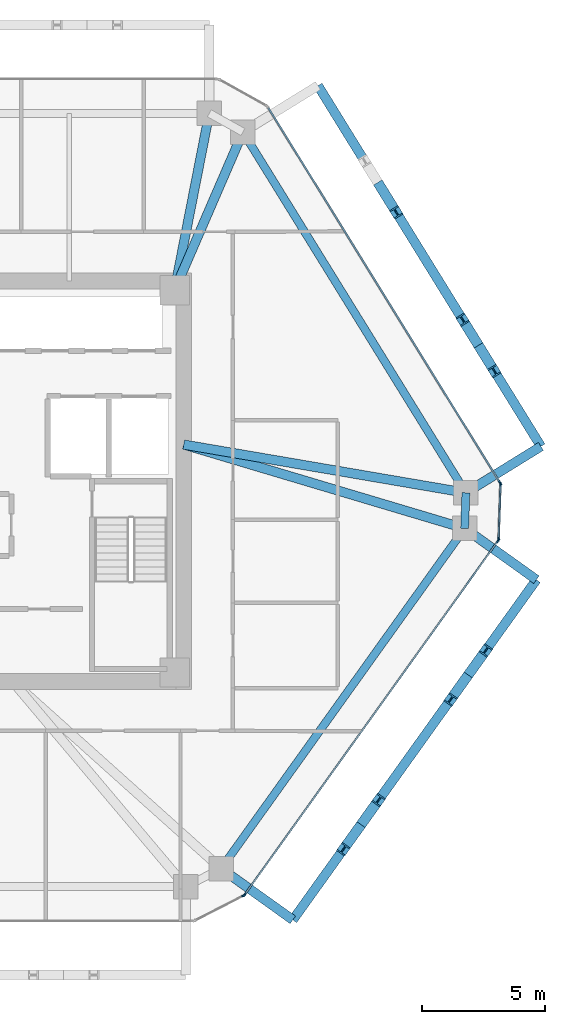
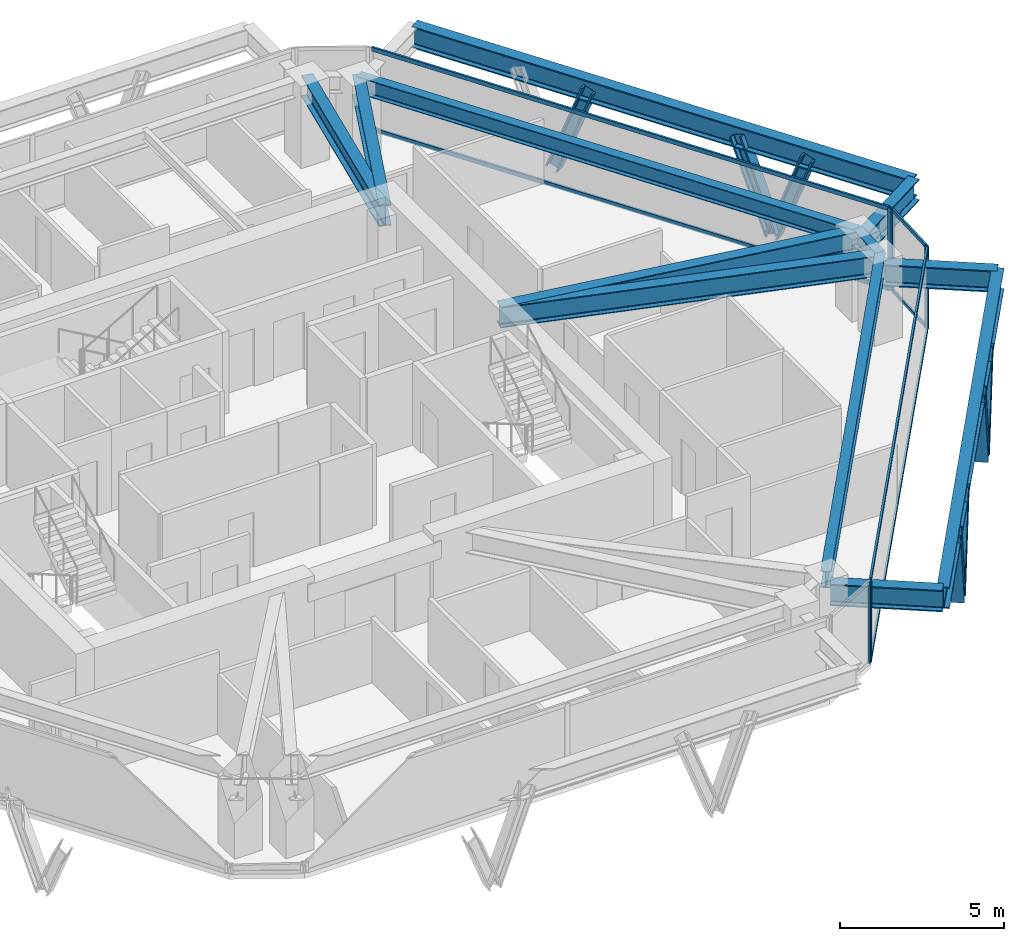
# One storey, part 5 of 11: 19 members, 12 beams, 4 elements without a shape of their own.
"""IFC4 building model written with IfcOpenShell, lengths in metres."""

from ifc_helpers import new_model, si_unit, direction, frame, origin, origin_2d, place, context, subcontext, project, spatial, rectangle, i_section, extrude, source, transform, mapped, material, layer, layer_set, material_profile, profile_set, type_object, type_shapes, element, aggregate, save


model = new_model("IFC4")

# Units and contexts
model_context = context("Model", 3, precision=1e-05, world=origin(), true_north=direction((0.0, 1.0)))
body_context = subcontext(model_context, "Body", "Model", "MODEL_VIEW")
ifc_project = project(units=[si_unit("LENGTHUNIT", "METRE"), si_unit("AREAUNIT", "SQUARE_METRE"), si_unit("VOLUMEUNIT", "CUBIC_METRE"), si_unit("PLANEANGLEUNIT", "RADIAN"), si_unit("MASSUNIT", "GRAM", prefix="KILO")], contexts=[model_context])

# Site, building, storey
site_placement = place(None, origin())
site = spatial("IfcSite", under=ifc_project, at=site_placement, CompositionType="ELEMENT")
building_placement = place(site_placement, origin())
building = spatial("IfcBuilding", under=site, at=building_placement, Name="Durnholm Broadcast Tower", CompositionType="ELEMENT")
storey_placement = place(building_placement, frame((0.0, 0.0, 177.10009765625)))
storey = spatial("IfcBuildingStorey", under=building, at=storey_placement, Name="L48", CompositionType="ELEMENT", Elevation=177.10009765625)

# Beams
ifc_material_1 = material(Name="Steel ASTM A992 Grade 50", Category="steel")
ifc_material_profile_1 = material_profile(ifc_material_1, i_section(OverallWidth=0.385009765625, OverallDepth=0.802978515625, WebThickness=0.023681640625, FlangeThickness=0.0419921875, FilletRadius=0.032958984375, at=origin_2d()), Name="W30X261")
ifc_profile_set_1 = profile_set([ifc_material_profile_1], Name="Steel ASTM A992 Grade 50")
beam_type_1 = type_object("IfcBeamType", Name="BM-EXO-TIE", PredefinedType="USERDEFINED", material=ifc_profile_set_1)
shared_shape_1 = source(origin(), body_context, "Body", "SweptSolid", [
    extrude(i_section(OverallWidth=0.385009765625, OverallDepth=0.802978515625, WebThickness=0.023681640625, FlangeThickness=0.0419921875, FilletRadius=0.032958984375, at=origin_2d()), origin(), (0.0, 0.0, 1.0), 3.4560546875),
])
for number, where, z_axis, x_axis, name in (
    (1, (11.81689453125, -15.884033203125, 2.308349609375), (0.813079048773, -0.582153296346, 0.0), (0.582153296346, 0.813079048773, 0.0), "L48 exoskeleton stand-off tie bracket F2.1"),
    (2, (21.7548828125, -2.00341796875, 2.308349609375), (0.813079048773, -0.582153296346, 0.0), (0.582153296346, 0.813079048773, 0.0), "L48 exoskeleton stand-off tie bracket F2.2"),
    (3, (21.8095703125, -0.3916015625, 2.308349609375), (0.850662348375, 0.525712439512, 0.0), (-0.525712439512, 0.850662348375, 0.0), "L48 exoskeleton stand-off tie bracket F3.1"),
):
    element("IfcBeam", number, at=place(storey_placement, frame(where, z_axis=z_axis, x_axis=x_axis)), inside=storey, type_object=beam_type_1, Name=name, ObjectType="GIRDER", PredefinedType="USERDEFINED", context=body_context, shape_type="MappedRepresentation", body=[
        mapped(shared_shape_1, transform((0.0, 0.0, 0.0), x_axis=(1.0, 0.0, 0.0), y_axis=(0.0, 1.0, 0.0), z_axis=(0.0, 0.0, 1.0), scale=1.0)),
    ])
ifc_material_profile_2 = material_profile(ifc_material_1, i_section(OverallWidth=0.3251953125, OverallDepth=0.6162109375, WebThickness=0.013916015625, FlangeThickness=0.021484375, FilletRadius=0.02783203125, at=origin_2d()), Name="W24X117")
ifc_profile_set_2 = profile_set([ifc_material_profile_2], Name="Steel ASTM A992 Grade 50")
beam_type_2 = type_object("IfcBeamType", Name="STL-SP-W24X117", PredefinedType="SPANDREL", material=ifc_profile_set_2)
shared_shape_2 = source(origin(), body_context, "Body", "SweptSolid", [
    extrude(i_section(OverallWidth=0.3251953125, OverallDepth=0.6162109375, WebThickness=0.013916015625, FlangeThickness=0.021484375, FilletRadius=0.02783203125, at=origin_2d()), origin(), (0.0, 0.0, 1.0), 17.30322265625),
])
beam_1_placement = place(storey_placement, frame((12.5908203125, 14.252197265625, 2.73681640625), z_axis=(0.525691424148, -0.850675335588, 0.0), x_axis=(0.850675335588, 0.525691424148, 0.0)))
element("IfcBeam", 4, at=beam_1_placement, inside=storey, type_object=beam_type_2, Name="L48 perimeter spandrel girder 07", PredefinedType="SPANDREL", context=body_context, shape_type="MappedRepresentation", body=[
    mapped(shared_shape_2, transform((0.0, 0.0, 0.0), x_axis=(1.0, 0.0, 0.0), y_axis=(0.0, 1.0, 0.0), z_axis=(0.0, 0.0, 1.0), scale=1.0)),
])
shared_shape_3 = source(origin(), body_context, "Body", "SweptSolid", [
    extrude(i_section(OverallWidth=0.3251953125, OverallDepth=0.6162109375, WebThickness=0.013916015625, FlangeThickness=0.021484375, FilletRadius=0.02783203125, at=origin_2d()), origin(), (0.0, 0.0, 1.0), 1.453125),
])
beam_2_placement = place(storey_placement, frame((21.68701171875, -0.46728515625, 2.73681640625), z_axis=(-0.033767922326, -0.99942970109, 0.0), x_axis=(0.99942970109, -0.033767922326, 0.0)))
element("IfcBeam", 5, at=beam_2_placement, inside=storey, type_object=beam_type_2, Name="L48 perimeter spandrel girder 08", PredefinedType="SPANDREL", context=body_context, shape_type="MappedRepresentation", body=[
    mapped(shared_shape_3, transform((0.0, 0.0, 0.0), x_axis=(1.0, 0.0, 0.0), y_axis=(0.0, 1.0, 0.0), z_axis=(0.0, 0.0, 1.0), scale=1.0)),
])
shared_shape_4 = source(origin(), body_context, "Body", "SweptSolid", [
    extrude(i_section(OverallWidth=0.3251953125, OverallDepth=0.6162109375, WebThickness=0.013916015625, FlangeThickness=0.021484375, FilletRadius=0.02783203125, at=origin_2d()), origin(), (0.0, 0.0, 1.0), 17.071533203125),
])
type_shapes(beam_type_2, [shared_shape_2, shared_shape_3, shared_shape_4])
beam_3_placement = place(storey_placement, frame((21.637939453125, -1.919677734375, 2.73681640625), z_axis=(-0.582149612352, -0.813081686449, 0.0), x_axis=(0.813081686449, -0.582149612352, 0.0)))
element("IfcBeam", 6, at=beam_3_placement, inside=storey, type_object=beam_type_2, Name="L48 perimeter spandrel girder 09", PredefinedType="SPANDREL", context=body_context, shape_type="MappedRepresentation", body=[
    mapped(shared_shape_4, transform((0.0, 0.0, 0.0), x_axis=(1.0, 0.0, 0.0), y_axis=(0.0, 1.0, 0.0), z_axis=(0.0, 0.0, 1.0), scale=1.0)),
])
ifc_material_profile_3 = material_profile(ifc_material_1, i_section(OverallWidth=0.380615234375, OverallDepth=0.773193359375, WebThickness=0.0166015625, FlangeThickness=0.027099609375, FilletRadius=0.032958984375, at=origin_2d()), Name="W30X173")
ifc_profile_set_3 = profile_set([ifc_material_profile_3], Name="Steel ASTM A992 Grade 50")
beam_type_3 = type_object("IfcBeamType", Name="STL-GR-W30X173", PredefinedType="USERDEFINED", material=ifc_profile_set_3)
shared_shape_5 = source(origin(), body_context, "Body", "SweptSolid", [
    extrude(i_section(OverallWidth=0.380615234375, OverallDepth=0.773193359375, WebThickness=0.0166015625, FlangeThickness=0.027099609375, FilletRadius=0.032958984375, at=origin_2d()), origin(), (0.0, 0.0, 1.0), 7.35595703125),
])
beam_4_placement = place(storey_placement, frame((9.800048828125, 7.800048828125, 2.658203125), z_axis=(0.192700221893, 0.981257674865, 0.0), x_axis=(-0.981257674865, 0.192700221893, 0.0)))
element("IfcBeam", 7, at=beam_4_placement, inside=storey, type_object=beam_type_3, Name="L48 radial primary floor girder 06", ObjectType="GIRDER", PredefinedType="USERDEFINED", context=body_context, shape_type="MappedRepresentation", body=[
    mapped(shared_shape_5, transform((0.0, 0.0, 0.0), x_axis=(1.0, 0.0, 0.0), y_axis=(0.0, 1.0, 0.0), z_axis=(0.0, 0.0, 1.0), scale=1.0)),
])
shared_shape_6 = source(origin(), body_context, "Body", "SweptSolid", [
    extrude(i_section(OverallWidth=0.380615234375, OverallDepth=0.773193359375, WebThickness=0.0166015625, FlangeThickness=0.027099609375, FilletRadius=0.032958984375, at=origin_2d()), origin(), (0.0, 0.0, 1.0), 7.02978515625),
])
beam_5_placement = place(storey_placement, frame((9.800048828125, 7.800048828125, 2.658203125), z_axis=(0.396989434191, 0.91782317967, 0.0), x_axis=(-0.91782317967, 0.396989434191, 0.0)))
element("IfcBeam", 8, at=beam_5_placement, inside=storey, type_object=beam_type_3, Name="L48 radial primary floor girder 07", ObjectType="GIRDER", PredefinedType="USERDEFINED", context=body_context, shape_type="MappedRepresentation", body=[
    mapped(shared_shape_6, transform((0.0, 0.0, 0.0), x_axis=(1.0, 0.0, 0.0), y_axis=(0.0, 1.0, 0.0), z_axis=(0.0, 0.0, 1.0), scale=1.0)),
])
shared_shape_7 = source(origin(), body_context, "Body", "SweptSolid", [
    extrude(i_section(OverallWidth=0.385009765625, OverallDepth=0.802978515625, WebThickness=0.023681640625, FlangeThickness=0.0419921875, FilletRadius=0.032958984375, at=origin_2d()), origin(), (0.0, 0.0, 1.0), 17.071533203125),
])
beam_6_placement = place(storey_placement, frame((14.626953125, -17.89599609375, 2.308349609375), z_axis=(0.582140157836, 0.813088455603, 0.0), x_axis=(-0.813088455603, 0.582140157836, 0.0)))
element("IfcBeam", 9, at=beam_6_placement, inside=storey, type_object=beam_type_1, Name="L48 exoskeleton collector spandrel F2", PredefinedType="SPANDREL", context=body_context, shape_type="MappedRepresentation", body=[
    mapped(shared_shape_7, transform((0.0, 0.0, 0.0), x_axis=(1.0, 0.0, 0.0), y_axis=(0.0, 1.0, 0.0), z_axis=(0.0, 0.0, 1.0), scale=1.0)),
])
shared_shape_8 = source(origin(), body_context, "Body", "SweptSolid", [
    extrude(i_section(OverallWidth=0.385009765625, OverallDepth=0.802978515625, WebThickness=0.023681640625, FlangeThickness=0.0419921875, FilletRadius=0.032958984375, at=origin_2d()), origin(), (0.0, 0.0, 1.0), 17.303466796875),
])
type_shapes(beam_type_1, [shared_shape_1, shared_shape_7, shared_shape_8])
beam_7_placement = place(storey_placement, frame((24.74951171875, 1.42529296875, 2.308349609375), z_axis=(-0.525701634347, 0.850669025911, 0.0), x_axis=(-0.850669025911, -0.525701634347, 0.0)))
element("IfcBeam", 10, at=beam_7_placement, inside=storey, type_object=beam_type_1, Name="L48 exoskeleton collector spandrel F3", PredefinedType="SPANDREL", context=body_context, shape_type="MappedRepresentation", body=[
    mapped(shared_shape_8, transform((0.0, 0.0, 0.0), x_axis=(1.0, 0.0, 0.0), y_axis=(0.0, 1.0, 0.0), z_axis=(0.0, 0.0, 1.0), scale=1.0)),
])
shared_shape_9 = source(origin(), body_context, "Body", "SweptSolid", [
    extrude(i_section(OverallWidth=0.380615234375, OverallDepth=0.773193359375, WebThickness=0.0166015625, FlangeThickness=0.027099609375, FilletRadius=0.032958984375, at=origin_2d()), origin(), (0.0, 0.0, 1.0), 11.678955078125),
])
beam_8_placement = place(storey_placement, frame((10.175048828125, 1.5, 2.658203125), z_axis=(0.985710446264, -0.168448556317, 0.0), x_axis=(0.168448556317, 0.985710446264, 0.0)))
element("IfcBeam", 11, at=beam_8_placement, inside=storey, type_object=beam_type_3, Name="L48 radial primary floor girder 08", ObjectType="GIRDER", PredefinedType="USERDEFINED", context=body_context, shape_type="MappedRepresentation", body=[
    mapped(shared_shape_9, transform((0.0, 0.0, 0.0), x_axis=(1.0, 0.0, 0.0), y_axis=(0.0, 1.0, 0.0), z_axis=(0.0, 0.0, 1.0), scale=1.0)),
])
shared_shape_10 = source(origin(), body_context, "Body", "SweptSolid", [
    extrude(i_section(OverallWidth=0.380615234375, OverallDepth=0.773193359375, WebThickness=0.0166015625, FlangeThickness=0.027099609375, FilletRadius=0.032958984375, at=origin_2d()), origin(), (0.0, 0.0, 1.0), 11.962158203125),
])
type_shapes(beam_type_3, [shared_shape_5, shared_shape_6, shared_shape_9, shared_shape_10])
beam_9_placement = place(storey_placement, frame((10.175048828125, 1.5, 2.658203125), z_axis=(0.958266673737, -0.285875815706, 0.0), x_axis=(0.285875815706, 0.958266673737, 0.0)))
element("IfcBeam", 12, at=beam_9_placement, inside=storey, type_object=beam_type_3, Name="L48 radial primary floor girder 09", ObjectType="GIRDER", PredefinedType="USERDEFINED", context=body_context, shape_type="MappedRepresentation", body=[
    mapped(shared_shape_10, transform((0.0, 0.0, 0.0), x_axis=(1.0, 0.0, 0.0), y_axis=(0.0, 1.0, 0.0), z_axis=(0.0, 0.0, 1.0), scale=1.0)),
])

# Members
ifc_material_2 = material(Name="Steel ASTM A913 Grade 65", Category="steel")
ifc_material_profile_4 = material_profile(ifc_material_2, i_section(OverallWidth=0.412109375, OverallDepth=0.434814453125, WebThickness=0.035888671875, FlangeThickness=0.057373046875, FilletRadius=0.030517578125, at=origin_2d()), Name="W14X311")
ifc_profile_set_4 = profile_set([ifc_material_profile_4], Name="Steel ASTM A913 Grade 65")
member_type_1 = type_object("IfcMemberType", Name="STL-DG-W14X311", PredefinedType="BRACE", material=ifc_profile_set_4)
shared_shape_11 = source(origin(), body_context, "Body", "SweptSolid", [
    extrude(i_section(OverallWidth=0.412109375, OverallDepth=0.434814453125, WebThickness=0.035888671875, FlangeThickness=0.057373046875, FilletRadius=0.030517578125, at=origin_2d()), origin(), (0.0, 0.0, 1.0), 3.52294921875),
])
for number, where, z_axis, x_axis, name in (
    (13, (17.40966796875, -14.009521484375, -0.991455078125), (-0.203882467945, -0.284756308901, 0.936667381628), (0.813077820009, -0.582155012526, 0.0), "L48 stand-off diagrid brace F2.D1.1"),
    (14, (17.40966796875, -14.009521484375, -0.991455078125), (0.203882467945, 0.284756308901, 0.936667381628), (-0.813077820009, 0.582155012526, 0.0), "L48 stand-off diagrid brace F2.D1.2"),
    (15, (21.782470703125, -7.90185546875, -0.991455078125), (-0.203882467945, -0.284756308901, 0.936667381628), (0.813077820009, -0.582155012526, 0.0), "L48 stand-off diagrid brace F2.D2.1"),
    (16, (21.782470703125, -7.90185546875, -0.991455078125), (0.203816046596, 0.284760331677, 0.936680614005), (-0.813171482985, 0.58202417412, 0.0), "L48 stand-off diagrid brace F2.D2.2"),
    (17, (22.202392578125, 5.546875, -0.991455078125), (0.18413098891, -0.297922138248, 0.936663321832), (0.850644447398, 0.525741404219, 0.0), "L48 stand-off diagrid brace F3.D1.1"),
):
    element("IfcMember", number, at=place(storey_placement, frame(where, z_axis=z_axis, x_axis=x_axis)), inside=storey, type_object=member_type_1, Name=name, PredefinedType="BRACE", context=body_context, shape_type="MappedRepresentation", body=[
        mapped(shared_shape_11, transform((0.0, 0.0, 0.0), x_axis=(1.0, 0.0, 0.0), y_axis=(0.0, 1.0, 0.0), z_axis=(0.0, 0.0, 1.0), scale=1.0)),
    ])
shared_shape_12 = source(origin(), body_context, "Body", "SweptSolid", [
    extrude(i_section(OverallWidth=0.412109375, OverallDepth=0.434814453125, WebThickness=0.035888671875, FlangeThickness=0.057373046875, FilletRadius=0.030517578125, at=origin_2d()), origin(), (0.0, 0.0, 1.0), 3.522705078125),
])
type_shapes(member_type_1, [shared_shape_11, shared_shape_12])
for number, where, z_axis, x_axis, name in (
    (18, (22.202392578125, 5.546875, -0.991455078125), (-0.184067836846, 0.297862787185, 0.936694609491), (-0.85067825406, -0.525686701439, 0.0), "L48 stand-off diagrid brace F3.D1.2"),
    (19, (18.2001953125, 12.023193359375, -0.991455078125), (0.184067836846, -0.297862787185, 0.936694609491), (0.85067825406, 0.525686701439, 0.0), "L48 stand-off diagrid brace F3.D2.1"),
):
    element("IfcMember", number, at=place(storey_placement, frame(where, z_axis=z_axis, x_axis=x_axis)), inside=storey, type_object=member_type_1, Name=name, PredefinedType="BRACE", context=body_context, shape_type="MappedRepresentation", body=[
        mapped(shared_shape_12, transform((0.0, 0.0, 0.0), x_axis=(1.0, 0.0, 0.0), y_axis=(0.0, 1.0, 0.0), z_axis=(0.0, 0.0, 1.0), scale=1.0)),
    ])

# Curtain wall, members
ifc_material_3 = material(Name="Aluminium and Solar Control IGU", Category="aluminium")
ifc_layer_1 = layer(ifc_material_3, 0.1650390625)
ifc_layer_set_1 = layer_set([ifc_layer_1], Name="Aluminium and Solar Control IGU")
curtain_wall_type_1 = type_object("IfcCurtainWallType", Name="CW-SYS-5", PredefinedType="NOTDEFINED", material=ifc_layer_set_1)
curtain_wall_1_placement = place(storey_placement, origin())
curtain_wall_1 = element("IfcCurtainWall", 20, at=curtain_wall_1_placement, inside=storey, type_object=curtain_wall_type_1, Name="L48 curtain wall CW-CORNER CW-L48-CRN-07", PredefinedType="NOTDEFINED")
ifc_material_4 = material(Name="Aluminium 6063-T6", Category="aluminium")
ifc_material_profile_5 = material_profile(ifc_material_4, rectangle(XDim=0.06494140625, YDim=0.1650390625, at=origin_2d()), Name="CWM65X165")
ifc_profile_set_5 = profile_set([ifc_material_profile_5], Name="Aluminium 6063-T6")
member_type_2 = type_object("IfcMemberType", Name="CW-SYS-5-MUL", PredefinedType="MULLION", material=ifc_profile_set_5)
shared_shape_13 = source(origin(), body_context, "Body", "SweptSolid", [
    extrude(rectangle(XDim=0.06494140625, YDim=0.1650390625, at=origin_2d()), origin(), (0.0, 0.0, 1.0), 3.059814453125),
])
type_shapes(member_type_2, [shared_shape_13])
member_1_placement = place(storey_placement, frame((23.099609375, -0.1240234375, 0.0), z_axis=(0.0, 0.0, 1.0), x_axis=(0.999424798802, -0.033912704699, 0.0)))
member_1 = element("IfcMember", 21, at=member_1_placement, type_object=member_type_2, Name="CW-CORNER mullion 1", PredefinedType="MULLION", context=body_context, shape_type="MappedRepresentation", body=[
    mapped(shared_shape_13, transform((0.0, 0.0, 0.0), x_axis=(1.0, 0.0, 0.0), y_axis=(0.0, 1.0, 0.0), z_axis=(0.0, 0.0, 1.0), scale=1.0)),
])
member_2_placement = place(storey_placement, frame((23.023681640625, -2.35791015625, 0.0), z_axis=(0.0, 0.0, 1.0), x_axis=(0.999424798802, -0.033912704699, 0.0)))
member_2 = element("IfcMember", 22, at=member_2_placement, type_object=member_type_2, Name="CW-CORNER mullion 2", PredefinedType="MULLION", context=body_context, shape_type="MappedRepresentation", body=[
    mapped(shared_shape_13, transform((0.0, 0.0, 0.0), x_axis=(1.0, 0.0, 0.0), y_axis=(0.0, 1.0, 0.0), z_axis=(0.0, 0.0, 1.0), scale=1.0)),
])

# Curtain wall, member
curtain_wall_2_placement = place(storey_placement, origin())
curtain_wall_2 = element("IfcCurtainWall", 23, at=curtain_wall_2_placement, inside=storey, type_object=curtain_wall_type_1, Name="L48 curtain wall CW-CORNER CW-L48-CRN-09", PredefinedType="NOTDEFINED")
member_3_placement = place(storey_placement, frame((12.612060546875, -16.905517578125, 0.0), z_axis=(0.0, 0.0, 1.0), x_axis=(0.457081764476, -0.889424679545, 0.0)))
member_3 = element("IfcMember", 24, at=member_3_placement, type_object=member_type_2, Name="CW-CORNER mullion 1", PredefinedType="MULLION", context=body_context, shape_type="MappedRepresentation", body=[
    mapped(shared_shape_13, transform((0.0, 0.0, 0.0), x_axis=(1.0, 0.0, 0.0), y_axis=(0.0, 1.0, 0.0), z_axis=(0.0, 0.0, 1.0), scale=1.0)),
])
aggregate(curtain_wall_2, [member_3])

# Member
ifc_material_profile_6 = material_profile(ifc_material_4, rectangle(XDim=0.06494140625, YDim=0.1298828125, at=origin_2d()), Name="CWT65X130")
ifc_profile_set_6 = profile_set([ifc_material_profile_6], Name="Aluminium 6063-T6")
member_type_3 = type_object("IfcMemberType", Name="CW-SYS-5-TRN", PredefinedType="USERDEFINED", material=ifc_profile_set_6)
shared_shape_14 = source(origin(), body_context, "Body", "SweptSolid", [
    extrude(rectangle(XDim=0.06494140625, YDim=0.1298828125, at=origin_2d()), origin(), (0.0, 0.0, 1.0), 2.170166015625),
])
type_shapes(member_type_3, [shared_shape_14])
member_4_placement = place(storey_placement, frame((23.098388671875, -0.156494140625, 0.032470703125), z_axis=(-0.033861704743, -0.999426528041, 0.0), x_axis=(0.999426528041, -0.033861704743, 0.0)))
member_4 = element("IfcMember", 25, at=member_4_placement, type_object=member_type_3, Name="CW-CORNER transom 1.1", ObjectType="TRANSOM", PredefinedType="USERDEFINED", context=body_context, shape_type="MappedRepresentation", body=[
    mapped(shared_shape_14, transform((0.0, 0.0, 0.0), x_axis=(1.0, 0.0, 0.0), y_axis=(0.0, 1.0, 0.0), z_axis=(0.0, 0.0, 1.0), scale=1.0)),
])

member_5_placement = place(storey_placement, frame((23.098388671875, -0.156494140625, 3.02734375), z_axis=(-0.033861704743, -0.999426528041, 0.0), x_axis=(0.999426528041, -0.033861704743, 0.0)))
member_5 = element("IfcMember", 26, at=member_5_placement, type_object=member_type_3, Name="CW-CORNER transom 1.2", ObjectType="TRANSOM", PredefinedType="USERDEFINED", context=body_context, shape_type="MappedRepresentation", body=[
    mapped(shared_shape_14, transform((0.0, 0.0, 0.0), x_axis=(1.0, 0.0, 0.0), y_axis=(0.0, 1.0, 0.0), z_axis=(0.0, 0.0, 1.0), scale=1.0)),
])

aggregate(curtain_wall_1, [member_1, member_2, member_4, member_5])

# Curtain wall, members
ifc_layer_2 = layer(ifc_material_3, 0.18994140625)
ifc_layer_set_2 = layer_set([ifc_layer_2], Name="Aluminium and Solar Control IGU")
curtain_wall_type_2 = type_object("IfcCurtainWallType", Name="CW-SYS-4", PredefinedType="NOTDEFINED", material=ifc_layer_set_2)
curtain_wall_3_placement = place(storey_placement, origin())
curtain_wall_3 = element("IfcCurtainWall", 27, at=curtain_wall_3_placement, inside=storey, type_object=curtain_wall_type_2, Name="L48 curtain wall CW-Z34-VIS CW-L48-F06", PredefinedType="NOTDEFINED")
ifc_material_profile_7 = material_profile(ifc_material_4, rectangle(XDim=0.070068359375, YDim=0.14990234375, at=origin_2d()), Name="CWT70X150")
ifc_profile_set_7 = profile_set([ifc_material_profile_7], Name="Aluminium 6063-T6")
member_type_4 = type_object("IfcMemberType", Name="CW-SYS-4-TRN", PredefinedType="USERDEFINED", material=ifc_profile_set_7)
shared_shape_15 = source(origin(), body_context, "Body", "SweptSolid", [
    extrude(rectangle(XDim=0.070068359375, YDim=0.14990234375, at=origin_2d()), origin(), (0.0, 0.0, 1.0), 17.950927734375),
])
member_6_placement = place(storey_placement, frame((13.627197265625, 15.23828125, 0.034912109375), z_axis=(0.525699895853, -0.850670100274, 0.0), x_axis=(0.850670100274, 0.525699895853, 0.0)))
member_6 = element("IfcMember", 28, at=member_6_placement, type_object=member_type_4, Name="CW-Z34-VIS transom 1.1", ObjectType="TRANSOM", PredefinedType="USERDEFINED", context=body_context, shape_type="MappedRepresentation", body=[
    mapped(shared_shape_15, transform((0.0, 0.0, 0.0), x_axis=(1.0, 0.0, 0.0), y_axis=(0.0, 1.0, 0.0), z_axis=(0.0, 0.0, 1.0), scale=1.0)),
])
member_7_placement = place(storey_placement, frame((13.627197265625, 15.23828125, 3.02490234375), z_axis=(0.525699895853, -0.850670100274, 0.0), x_axis=(0.850670100274, 0.525699895853, 0.0)))
member_7 = element("IfcMember", 29, at=member_7_placement, type_object=member_type_4, Name="CW-Z34-VIS transom 1.2", ObjectType="TRANSOM", PredefinedType="USERDEFINED", context=body_context, shape_type="MappedRepresentation", body=[
    mapped(shared_shape_15, transform((0.0, 0.0, 0.0), x_axis=(1.0, 0.0, 0.0), y_axis=(0.0, 1.0, 0.0), z_axis=(0.0, 0.0, 1.0), scale=1.0)),
])

curtain_wall_4_placement = place(storey_placement, origin())
curtain_wall_4 = element("IfcCurtainWall", 30, at=curtain_wall_4_placement, inside=storey, type_object=curtain_wall_type_2, Name="L48 curtain wall CW-Z34-VIS CW-L48-F08", PredefinedType="NOTDEFINED")
shared_shape_16 = source(origin(), body_context, "Body", "SweptSolid", [
    extrude(rectangle(XDim=0.070068359375, YDim=0.14990234375, at=origin_2d()), origin(), (0.0, 0.0, 1.0), 17.693603515625),
])
type_shapes(member_type_4, [shared_shape_15, shared_shape_16])
member_8_placement = place(storey_placement, frame((22.98193359375, -2.447265625, 0.034912109375), z_axis=(-0.582144969277, -0.813085010774, 0.0), x_axis=(0.813085010774, -0.582144969277, 0.0)))
member_8 = element("IfcMember", 31, at=member_8_placement, type_object=member_type_4, Name="CW-Z34-VIS transom 1.1", ObjectType="TRANSOM", PredefinedType="USERDEFINED", context=body_context, shape_type="MappedRepresentation", body=[
    mapped(shared_shape_16, transform((0.0, 0.0, 0.0), x_axis=(1.0, 0.0, 0.0), y_axis=(0.0, 1.0, 0.0), z_axis=(0.0, 0.0, 1.0), scale=1.0)),
])
member_9_placement = place(storey_placement, frame((22.98193359375, -2.447265625, 3.02490234375), z_axis=(-0.582144969277, -0.813085010774, 0.0), x_axis=(0.813085010774, -0.582144969277, 0.0)))
member_9 = element("IfcMember", 32, at=member_9_placement, type_object=member_type_4, Name="CW-Z34-VIS transom 1.2", ObjectType="TRANSOM", PredefinedType="USERDEFINED", context=body_context, shape_type="MappedRepresentation", body=[
    mapped(shared_shape_16, transform((0.0, 0.0, 0.0), x_axis=(1.0, 0.0, 0.0), y_axis=(0.0, 1.0, 0.0), z_axis=(0.0, 0.0, 1.0), scale=1.0)),
])

# Member
ifc_material_profile_8 = material_profile(ifc_material_4, rectangle(XDim=0.070068359375, YDim=0.18994140625, at=origin_2d()), Name="CWM70X190")
ifc_profile_set_8 = profile_set([ifc_material_profile_8], Name="Aluminium 6063-T6")
member_type_5 = type_object("IfcMemberType", Name="CW-SYS-4-MUL", PredefinedType="MULLION", material=ifc_profile_set_8)
shared_shape_17 = source(origin(), body_context, "Body", "SweptSolid", [
    extrude(rectangle(XDim=0.070068359375, YDim=0.18994140625, at=origin_2d()), origin(), (0.0, 0.0, 1.0), 3.059814453125),
])
type_shapes(member_type_5, [shared_shape_17])
member_10_placement = place(storey_placement, frame((23.082275390625, -0.061767578125, 0.0), z_axis=(0.0, 0.0, 1.0), x_axis=(0.850671426092, 0.525697750452, 0.0)))
member_10 = element("IfcMember", 33, at=member_10_placement, type_object=member_type_5, Name="CW-Z34-VIS mullion 2", PredefinedType="MULLION", context=body_context, shape_type="MappedRepresentation", body=[
    mapped(shared_shape_17, transform((0.0, 0.0, 0.0), x_axis=(1.0, 0.0, 0.0), y_axis=(0.0, 1.0, 0.0), z_axis=(0.0, 0.0, 1.0), scale=1.0)),
])

aggregate(curtain_wall_3, [member_10, member_6, member_7])

member_11_placement = place(storey_placement, frame((23.00244140625, -2.418701171875, 0.0), z_axis=(0.0, 0.0, 1.0), x_axis=(0.813089262696, -0.582139030549, 0.0)))
member_11 = element("IfcMember", 34, at=member_11_placement, type_object=member_type_5, Name="CW-Z34-VIS mullion 1", PredefinedType="MULLION", context=body_context, shape_type="MappedRepresentation", body=[
    mapped(shared_shape_17, transform((0.0, 0.0, 0.0), x_axis=(1.0, 0.0, 0.0), y_axis=(0.0, 1.0, 0.0), z_axis=(0.0, 0.0, 1.0), scale=1.0)),
])

member_12_placement = place(storey_placement, frame((12.661376953125, -16.8623046875, 0.0), z_axis=(0.0, 0.0, 1.0), x_axis=(0.813089262696, -0.582139030549, 0.0)))
member_12 = element("IfcMember", 35, at=member_12_placement, type_object=member_type_5, Name="CW-Z34-VIS mullion 2", PredefinedType="MULLION", context=body_context, shape_type="MappedRepresentation", body=[
    mapped(shared_shape_17, transform((0.0, 0.0, 0.0), x_axis=(1.0, 0.0, 0.0), y_axis=(0.0, 1.0, 0.0), z_axis=(0.0, 0.0, 1.0), scale=1.0)),
])

aggregate(curtain_wall_4, [member_11, member_12, member_8, member_9])

save(model, "model.ifc")
